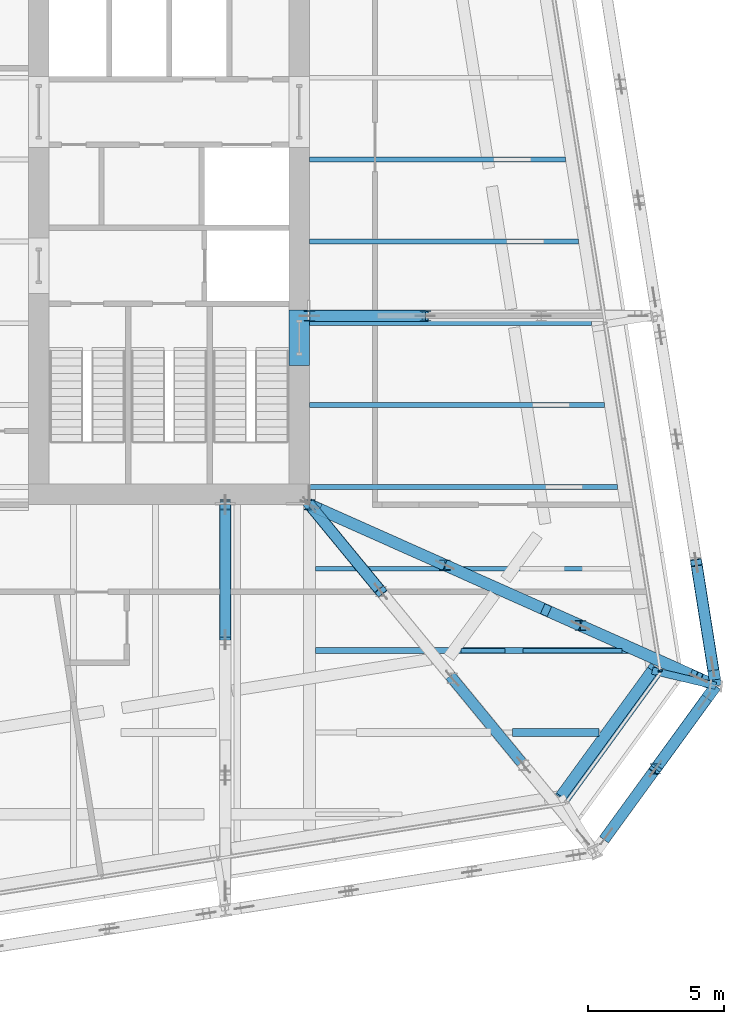
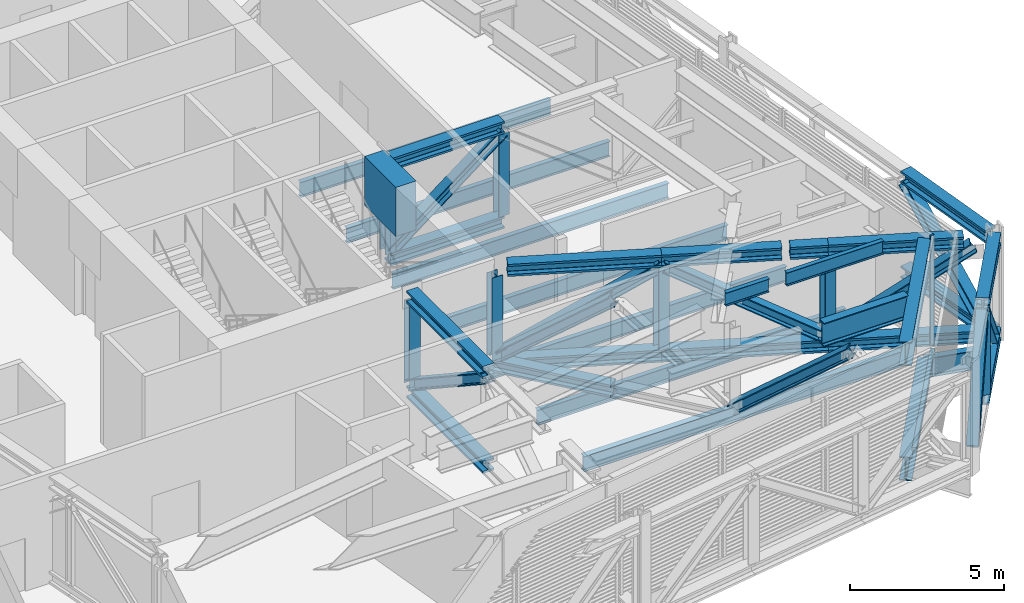
# One storey, part 9 of 31: 30 beams, 19 members, 2 elements without a shape of their own.
"""IFC4 building model written with IfcOpenShell, lengths in metres."""

from ifc_helpers import new_model, si_unit, direction, frame, origin, origin_2d, place, context, subcontext, project, spatial, rectangle, i_section, extrude, material, layer, layer_set, material_profile, profile_set, type_object, element, aggregate, save


model = new_model("IFC4")

# Units and contexts
model_context = context("Model", 3, precision=1e-05, world=origin(), true_north=direction((0.0, 1.0)))
body_context = subcontext(model_context, "Body", "Model", "MODEL_VIEW")
ifc_project = project(units=[si_unit("LENGTHUNIT", "METRE"), si_unit("AREAUNIT", "SQUARE_METRE"), si_unit("VOLUMEUNIT", "CUBIC_METRE"), si_unit("PLANEANGLEUNIT", "RADIAN"), si_unit("MASSUNIT", "GRAM", prefix="KILO")], contexts=[model_context])

# Site, building, storey
site_placement = place(None, origin())
site = spatial("IfcSite", under=ifc_project, at=site_placement, CompositionType="ELEMENT")
building_placement = place(site_placement, origin())
building = spatial("IfcBuilding", under=site, at=building_placement, Name="Millrace Tower", CompositionType="ELEMENT")
storey_placement = place(building_placement, frame((0.0, 0.0, 195.60009765625)))
storey = spatial("IfcBuildingStorey", under=building, at=storey_placement, Name="L44", CompositionType="ELEMENT", Elevation=195.60009765625)

# Beams
ifc_material_1 = material(Name="Steel ASTM A992 Grade 50", Category="steel")
ifc_material_profile_1 = material_profile(ifc_material_1, i_section(OverallWidth=0.4267578125, OverallDepth=0.482666015625, WebThickness=0.05126953125, FlangeThickness=0.08154296875, FilletRadius=0.01513671875, at=origin_2d()))
ifc_profile_set_1 = profile_set([ifc_material_profile_1], Name="Steel ASTM A992 Grade 50")
beam_type_1 = type_object("IfcBeamType", Name="Belt truss chord W14x455", PredefinedType="BEAM", material=ifc_profile_set_1)
beam_1_placement = place(storey_placement, frame((27.330810546875, -19.335205078125, 0.2412109375), z_axis=(0.587816727531, 0.80899412534, 0.0), x_axis=(-0.80899412534, 0.587816727531, 0.0)))
element("IfcBeam", 1, at=beam_1_placement, inside=storey, type_object=beam_type_1, Name="BLT-L44-R05-B02", PredefinedType="BEAM", context=body_context, shape_type="SweptSolid", body=[
    extrude(i_section(OverallWidth=0.4267578125, OverallDepth=0.482666015625, WebThickness=0.05126953125, FlangeThickness=0.08154296875, FilletRadius=0.01513671875, at=origin_2d()), origin(), (0.0, 0.0, 1.0), 3.762939453125),
])
beam_2_placement = place(storey_placement, frame((29.542724609375, -16.291015625, 0.2412109375), z_axis=(-0.156417315446, 0.987691056671, 0.0), x_axis=(-0.987691056671, -0.156417315446, 0.0)))
element("IfcBeam", 2, at=beam_2_placement, inside=storey, type_object=beam_type_1, Name="BLT-L44-R06-B01", PredefinedType="BEAM", context=body_context, shape_type="SweptSolid", body=[
    extrude(i_section(OverallWidth=0.4267578125, OverallDepth=0.482666015625, WebThickness=0.05126953125, FlangeThickness=0.08154296875, FilletRadius=0.01513671875, at=origin_2d()), origin(), (0.0, 0.0, 1.0), 4.576416015625),
])
beam_3_placement = place(storey_placement, frame((27.330810546875, -19.335205078125, 3.99853515625), z_axis=(0.587815785135, 0.808994810086, 0.0), x_axis=(-0.808994810086, 0.587815785135, 0.0)))
element("IfcBeam", 3, at=beam_3_placement, inside=storey, type_object=beam_type_1, Name="BLT-L44-R05-T02", PredefinedType="BEAM", context=body_context, shape_type="SweptSolid", body=[
    extrude(i_section(OverallWidth=0.4267578125, OverallDepth=0.482666015625, WebThickness=0.05126953125, FlangeThickness=0.08154296875, FilletRadius=0.01513671875, at=origin_2d()), origin(), (0.0, 0.0, 1.0), 3.7529296875),
])
beam_4_placement = place(storey_placement, frame((29.507568359375, -16.06982421875, 3.99853515625), z_axis=(-0.156388870071, 0.98769556105, 0.0), x_axis=(-0.98769556105, -0.156388870071, 0.0)))
element("IfcBeam", 4, at=beam_4_placement, inside=storey, type_object=beam_type_1, Name="BLT-L44-R06-T01", PredefinedType="BEAM", context=body_context, shape_type="SweptSolid", body=[
    extrude(i_section(OverallWidth=0.4267578125, OverallDepth=0.482666015625, WebThickness=0.05126953125, FlangeThickness=0.08154296875, FilletRadius=0.01513671875, at=origin_2d()), origin(), (0.0, 0.0, 1.0), 4.352294921875),
])

# Members
ifc_material_2 = material(Name="Steel ASTM A992 Grade 50", Category="steel")
ifc_material_profile_2 = material_profile(ifc_material_2, i_section(OverallWidth=0.398681640625, OverallDepth=0.393798828125, WebThickness=0.022705078125, FlangeThickness=0.03662109375, FilletRadius=0.01513671875, at=origin_2d()))
ifc_profile_set_2 = profile_set([ifc_material_profile_2], Name="Steel ASTM A992 Grade 50")
member_type_1 = type_object("IfcMemberType", Name="Belt truss diagonal W14x193", PredefinedType="BRACE", material=ifc_profile_set_2)
for number, where, z_axis, x_axis, name in (
    (5, (25.530517578125, -21.813232421875, 0.482421875), (0.401488603432, 0.552632129758, 0.730345555524), (-0.809032407796, 0.587764036954, 0.0), "BLT-L44-R05-D01"),
    (6, (29.131103515625, -16.857177734375, 0.482421875), (-0.401488603432, -0.552632129758, 0.730345555524), (0.809032407796, -0.587764036954, 0.0), "BLT-L44-R05-D02"),
):
    element("IfcMember", number, at=place(storey_placement, frame(where, z_axis=z_axis, x_axis=x_axis)), inside=storey, type_object=member_type_1, Name=name, PredefinedType="BRACE", context=body_context, shape_type="SweptSolid", body=[
        extrude(i_section(OverallWidth=0.398681640625, OverallDepth=0.393798828125, WebThickness=0.022705078125, FlangeThickness=0.03662109375, FilletRadius=0.01513671875, at=origin_2d()), origin(), (0.0, 0.0, 1.0), 4.484130859375),
    ])
member_1_placement = place(storey_placement, frame((29.43310546875, -15.599609375, 0.482421875), z_axis=(-0.119459824806, 0.754478039711, 0.645362098245), x_axis=(-0.987695976535, -0.156386245998, 0.0)))
element("IfcMember", 7, at=member_1_placement, inside=storey, type_object=member_type_1, Name="BLT-L44-R06-D01", PredefinedType="BRACE", context=body_context, shape_type="SweptSolid", body=[
    extrude(i_section(OverallWidth=0.398681640625, OverallDepth=0.393798828125, WebThickness=0.022705078125, FlangeThickness=0.03662109375, FilletRadius=0.01513671875, at=origin_2d()), origin(), (0.0, 0.0, 1.0), 5.074462890625),
])
ifc_material_3 = material(Name="Steel ASTM A992 Grade 50", Category="steel")
ifc_material_profile_3 = material_profile(ifc_material_3, i_section(OverallWidth=0.396240234375, OverallDepth=0.381103515625, WebThickness=0.018798828125, FlangeThickness=0.0302734375, FilletRadius=0.01513671875, at=origin_2d()))
ifc_profile_set_3 = profile_set([ifc_material_profile_3], Name="Steel ASTM A992 Grade 50")
member_type_2 = type_object("IfcMemberType", Name="Belt truss post W14x159", PredefinedType="POST", material=ifc_profile_set_3)
member_2_placement = place(storey_placement, frame((27.330810546875, -19.335205078125, 0.482421875), z_axis=(0.0, 0.0, 1.0), x_axis=(1.0, 0.0, 0.0)))
element("IfcMember", 8, at=member_2_placement, inside=storey, type_object=member_type_2, Name="BLT-L44-R05-V01", PredefinedType="POST", context=body_context, shape_type="SweptSolid", body=[
    extrude(i_section(OverallWidth=0.396240234375, OverallDepth=0.381103515625, WebThickness=0.018798828125, FlangeThickness=0.0302734375, FilletRadius=0.01513671875, at=origin_2d()), origin(), (0.0, 0.0, 1.0), 3.27490234375),
])

# Curtain wall, member
ifc_material_4 = material(Name="Aluminium and glass", Category="aluminium")
ifc_layer = layer(ifc_material_4, 0.14990234375)
ifc_layer_set = layer_set([ifc_layer], Name="Aluminium and glass")
curtain_wall_type = type_object("IfcCurtainWallType", Name="CW-5 truss and plant storey louvred infill", PredefinedType="NOTDEFINED", material=ifc_layer_set)
placement = place(storey_placement, origin())
curtain_wall_1 = element("IfcCurtainWall", 9, at=placement, inside=storey, type_object=curtain_wall_type, Name="Curtain wall C-F04 L44", PredefinedType="NOTDEFINED")
ifc_material_5 = material(Name="Aluminium", Category="aluminium")
ifc_material_profile_4 = material_profile(ifc_material_5, rectangle(XDim=0.06494140625, YDim=0.14990234375, at=origin_2d()))
ifc_profile_set_4 = profile_set([ifc_material_profile_4], Name="Aluminium")
member_type_3 = type_object("IfcMemberType", Name="CW-5 truss and plant storey louvred infill mullion", PredefinedType="MULLION", material=ifc_profile_set_4)
member_3_placement = place(storey_placement, frame((27.506591796875, -15.74169921875, 0.139892578125), z_axis=(0.0, 0.0, 1.0), x_axis=(-0.15643447328, 0.98768833929, 0.0)))
member_3 = element("IfcMember", 10, at=member_3_placement, type_object=member_type_3, Name="CW5 mullion C-F04.1", PredefinedType="MULLION", context=body_context, shape_type="SweptSolid", body=[
    extrude(rectangle(XDim=0.06494140625, YDim=0.14990234375, at=origin_2d()), origin(), (0.0, 0.0, 1.0), 4.360107421875),
])
aggregate(curtain_wall_1, [member_3])

curtain_wall_2 = element("IfcCurtainWall", 11, at=placement, inside=storey, type_object=curtain_wall_type, Name="Curtain wall C-F03 L44", PredefinedType="NOTDEFINED")
ifc_material_6 = material(Name="Aluminium", Category="aluminium")
ifc_material_profile_5 = material_profile(ifc_material_6, rectangle(XDim=0.14990234375, YDim=0.139892578125, at=origin_2d()))
ifc_profile_set_5 = profile_set([ifc_material_profile_5], Name="Aluminium")
member_type_4 = type_object("IfcMemberType", Name="CW-5 truss and plant storey louvred infill transom", PredefinedType="USERDEFINED", material=ifc_profile_set_5)
member_4_placement = place(storey_placement, frame((24.107421875, -20.496826171875, 0.06982421875), z_axis=(0.587810581339, 0.808998591139, 0.0), x_axis=(-0.808998591139, 0.587810581339, 0.0)))
member_4 = element("IfcMember", 12, at=member_4_placement, type_object=member_type_4, Name="CW5 transom C-F03.1", ObjectType="TRANSOM", PredefinedType="USERDEFINED", context=body_context, shape_type="SweptSolid", body=[
    extrude(rectangle(XDim=0.14990234375, YDim=0.139892578125, at=origin_2d()), origin(), (0.0, 0.0, 1.0), 5.6689453125),
])
aggregate(curtain_wall_2, [member_4])

# Beams
ifc_material_7 = material(Name="Concrete C70", Category="concrete")
ifc_material_profile_6 = material_profile(ifc_material_7, rectangle(XDim=0.75, YDim=1.93994140625, at=origin_2d()))
ifc_profile_set_6 = profile_set([ifc_material_profile_6], Name="Concrete C70")
beam_type_2 = type_object("IfcBeamType", Name="Coupling beam 750 x 1940 Concrete C70, 1300 opening", PredefinedType="BEAM", material=ifc_profile_set_6)
beam_5_placement = place(storey_placement, frame((14.27490234375, -2.511474609375, 3.369873046875), z_axis=(0.0, -1.0, 0.0), x_axis=(1.0, 0.0, 0.0)))
element("IfcBeam", 13, at=beam_5_placement, inside=storey, type_object=beam_type_2, Name="Coupling beam E L44", PredefinedType="BEAM", context=body_context, shape_type="SweptSolid", body=[
    extrude(rectangle(XDim=0.75, YDim=1.93994140625, at=origin_2d()), origin(), (0.0, 0.0, 1.0), 2.037109375),
])
ifc_material_8 = material(Name="Steel ASTM A992 Grade 50", Category="steel")
ifc_material_profile_7 = material_profile(ifc_material_8, i_section(OverallWidth=0.1650390625, OverallDepth=0.52587890625, WebThickness=0.0087890625, FlangeThickness=0.011474609375, FilletRadius=0.0126953125, at=origin_2d()))
ifc_profile_set_7 = profile_set([ifc_material_profile_7], Name="Steel ASTM A992 Grade 50")
beam_type_3 = type_object("IfcBeamType", Name="Floor beam W21x44", PredefinedType="JOIST", material=ifc_profile_set_7)
beam_6_placement = place(storey_placement, frame((20.19384765625, -15.0, 4.076904296875), z_axis=(1.0, 0.0, 0.0), x_axis=(0.0, 1.0, 0.0)))
element("IfcBeam", 14, at=beam_6_placement, inside=storey, type_object=beam_type_3, Name="BM-C-L44-R1-S005-a", PredefinedType="JOIST", context=body_context, shape_type="SweptSolid", body=[
    extrude(i_section(OverallWidth=0.1650390625, OverallDepth=0.52587890625, WebThickness=0.0087890625, FlangeThickness=0.011474609375, FilletRadius=0.0126953125, at=origin_2d()), origin(), (0.0, 0.0, 1.0), 1.626708984375),
])
beam_7_placement = place(storey_placement, frame((22.468994140625, -15.0, 4.076904296875), z_axis=(1.0, 0.0, 0.0), x_axis=(0.0, 1.0, 0.0)))
element("IfcBeam", 15, at=beam_7_placement, inside=storey, type_object=beam_type_3, Name="BM-C-L44-R1-S005-b", PredefinedType="JOIST", context=body_context, shape_type="SweptSolid", body=[
    extrude(i_section(OverallWidth=0.1650390625, OverallDepth=0.52587890625, WebThickness=0.0087890625, FlangeThickness=0.011474609375, FilletRadius=0.0126953125, at=origin_2d()), origin(), (0.0, 0.0, 1.0), 3.626708984375),
])
ifc_material_9 = material(Name="Steel ASTM A992 Grade 50", Category="steel")
ifc_material_profile_8 = material_profile(ifc_material_9, i_section(OverallWidth=0.177978515625, OverallDepth=0.599365234375, WebThickness=0.010009765625, FlangeThickness=0.012939453125, FilletRadius=0.012939453125, at=origin_2d()))
ifc_profile_set_8 = profile_set([ifc_material_profile_8], Name="Steel ASTM A992 Grade 50")
beam_type_4 = type_object("IfcBeamType", Name="Floor beam W24x55", PredefinedType="JOIST", material=ifc_profile_set_8)
beam_8_placement = place(storey_placement, frame((14.64990234375, 0.0, -0.5498046875), z_axis=(1.0, 0.0, 0.0), x_axis=(0.0, 1.0, 0.0)))
element("IfcBeam", 16, at=beam_8_placement, inside=storey, type_object=beam_type_4, Name="BM-C-L44-S1-S021", PredefinedType="JOIST", context=body_context, shape_type="SweptSolid", body=[
    extrude(i_section(OverallWidth=0.177978515625, OverallDepth=0.599365234375, WebThickness=0.010009765625, FlangeThickness=0.012939453125, FilletRadius=0.012939453125, at=origin_2d()), origin(), (0.0, 0.0, 1.0), 9.860595703125),
])
beam_9_placement = place(storey_placement, frame((14.64990234375, 3.0, -0.5498046875), z_axis=(1.0, 0.0, 0.0), x_axis=(0.0, 1.0, 0.0)))
element("IfcBeam", 17, at=beam_9_placement, inside=storey, type_object=beam_type_4, Name="BM-C-L44-S1-S024", PredefinedType="JOIST", context=body_context, shape_type="SweptSolid", body=[
    extrude(i_section(OverallWidth=0.177978515625, OverallDepth=0.599365234375, WebThickness=0.010009765625, FlangeThickness=0.012939453125, FilletRadius=0.012939453125, at=origin_2d()), origin(), (0.0, 0.0, 1.0), 9.385498046875),
])
ifc_material_10 = material(Name="Steel ASTM A992 Grade 50", Category="steel")
ifc_material_profile_9 = material_profile(ifc_material_10, i_section(OverallWidth=0.1787109375, OverallDepth=0.60205078125, WebThickness=0.010986328125, FlangeThickness=0.014892578125, FilletRadius=0.0126953125, at=origin_2d()))
ifc_profile_set_9 = profile_set([ifc_material_profile_9], Name="Steel ASTM A992 Grade 50")
beam_type_5 = type_object("IfcBeamType", Name="Floor beam W24x62", PredefinedType="JOIST", material=ifc_profile_set_9)
beam_10_placement = place(storey_placement, frame((14.862060546875, -12.0, -0.551025390625), z_axis=(1.0, 0.0, 0.0), x_axis=(0.0, 1.0, 0.0)))
element("IfcBeam", 18, at=beam_10_placement, inside=storey, type_object=beam_type_5, Name="BM-C-L44-S1-S009", PredefinedType="JOIST", context=body_context, shape_type="SweptSolid", body=[
    extrude(i_section(OverallWidth=0.1787109375, OverallDepth=0.60205078125, WebThickness=0.010986328125, FlangeThickness=0.014892578125, FilletRadius=0.0126953125, at=origin_2d()), origin(), (0.0, 0.0, 1.0), 11.549072265625),
])
beam_11_placement = place(storey_placement, frame((14.64990234375, -9.0, -0.551025390625), z_axis=(1.0, 0.0, 0.0), x_axis=(0.0, 1.0, 0.0)))
element("IfcBeam", 19, at=beam_11_placement, inside=storey, type_object=beam_type_5, Name="BM-C-L44-S1-S012", PredefinedType="JOIST", context=body_context, shape_type="SweptSolid", body=[
    extrude(i_section(OverallWidth=0.1787109375, OverallDepth=0.60205078125, WebThickness=0.010986328125, FlangeThickness=0.014892578125, FilletRadius=0.0126953125, at=origin_2d()), origin(), (0.0, 0.0, 1.0), 11.2861328125),
])
beam_12_placement = place(storey_placement, frame((14.64990234375, -6.0, -0.551025390625), z_axis=(1.0, 0.0, 0.0), x_axis=(0.0, 1.0, 0.0)))
element("IfcBeam", 20, at=beam_12_placement, inside=storey, type_object=beam_type_5, Name="BM-C-L44-S1-S015", PredefinedType="JOIST", context=body_context, shape_type="SweptSolid", body=[
    extrude(i_section(OverallWidth=0.1787109375, OverallDepth=0.60205078125, WebThickness=0.010986328125, FlangeThickness=0.014892578125, FilletRadius=0.0126953125, at=origin_2d()), origin(), (0.0, 0.0, 1.0), 10.81103515625),
])
beam_13_placement = place(storey_placement, frame((14.64990234375, -3.0, -0.551025390625), z_axis=(1.0, 0.0, 0.0), x_axis=(0.0, 1.0, 0.0)))
element("IfcBeam", 21, at=beam_13_placement, inside=storey, type_object=beam_type_5, Name="BM-C-L44-S1-S018", PredefinedType="JOIST", context=body_context, shape_type="SweptSolid", body=[
    extrude(i_section(OverallWidth=0.1787109375, OverallDepth=0.60205078125, WebThickness=0.010986328125, FlangeThickness=0.014892578125, FilletRadius=0.0126953125, at=origin_2d()), origin(), (0.0, 0.0, 1.0), 10.3359375),
])
ifc_material_11 = material(Name="Steel ASTM A992 Grade 50", Category="steel")
ifc_material_profile_10 = material_profile(ifc_material_11, i_section(OverallWidth=0.228271484375, OverallDepth=0.607177734375, WebThickness=0.01123046875, FlangeThickness=0.017333984375, FilletRadius=0.0126953125, at=origin_2d()))
ifc_profile_set_10 = profile_set([ifc_material_profile_10], Name="Steel ASTM A992 Grade 50")
beam_type_6 = type_object("IfcBeamType", Name="Floor beam W24x76", PredefinedType="JOIST", material=ifc_profile_set_10)
beam_14_placement = place(storey_placement, frame((14.862060546875, -15.0, -0.5537109375), z_axis=(1.0, 0.0, 0.0), x_axis=(0.0, 1.0, 0.0)))
element("IfcBeam", 22, at=beam_14_placement, inside=storey, type_object=beam_type_6, Name="BM-C-L44-S1-S007", PredefinedType="JOIST", context=body_context, shape_type="SweptSolid", body=[
    extrude(i_section(OverallWidth=0.228271484375, OverallDepth=0.607177734375, WebThickness=0.01123046875, FlangeThickness=0.017333984375, FilletRadius=0.0126953125, at=origin_2d()), origin(), (0.0, 0.0, 1.0), 12.0244140625),
])
ifc_material_12 = material(Name="Steel ASTM A992 Grade 50", Category="steel")
ifc_material_profile_11 = material_profile(ifc_material_12, i_section(OverallWidth=0.307373046875, OverallDepth=0.927001953125, WebThickness=0.01953125, FlangeThickness=0.031982421875, FilletRadius=0.01904296875, at=origin_2d()))
ifc_profile_set_11 = profile_set([ifc_material_profile_11], Name="Steel ASTM A992 Grade 50")
beam_type_7 = type_object("IfcBeamType", Name="Floor beam W36x194", PredefinedType="JOIST", material=ifc_profile_set_11)
beam_15_placement = place(storey_placement, frame((22.084228515625, -18.0, 3.87646484375), z_axis=(1.0, 0.0, 0.0), x_axis=(0.0, 1.0, 0.0)))
element("IfcBeam", 23, at=beam_15_placement, inside=storey, type_object=beam_type_7, Name="BM-C-L44-R1-S004-b-b", PredefinedType="JOIST", context=body_context, shape_type="SweptSolid", body=[
    extrude(i_section(OverallWidth=0.307373046875, OverallDepth=0.927001953125, WebThickness=0.01953125, FlangeThickness=0.031982421875, FilletRadius=0.01904296875, at=origin_2d()), origin(), (0.0, 0.0, 1.0), 3.16748046875),
])
ifc_material_13 = material(Name="Steel ASTM A992 Grade 50", Category="steel")
ifc_material_profile_12 = material_profile(ifc_material_13, i_section(OverallWidth=0.2666015625, OverallDepth=0.7568359375, WebThickness=0.013916015625, FlangeThickness=0.019287109375, FilletRadius=0.0166015625, at=origin_2d()))
ifc_profile_set_12 = profile_set([ifc_material_profile_12], Name="Steel ASTM A992 Grade 50")
beam_type_8 = type_object("IfcBeamType", Name="Link beam W30x108", PredefinedType="BEAM", material=ifc_profile_set_12)
beam_16_placement = place(storey_placement, frame((27.2158203125, -15.732177734375, -0.628662109375), z_axis=(0.972351174384, -0.233523432816, 0.0), x_axis=(0.233523432816, 0.972351174384, 0.0)))
element("IfcBeam", 24, at=beam_16_placement, inside=storey, type_object=beam_type_8, Name="LNK-C-L44-S1-12", PredefinedType="BEAM", context=body_context, shape_type="SweptSolid", body=[
    extrude(i_section(OverallWidth=0.2666015625, OverallDepth=0.7568359375, WebThickness=0.013916015625, FlangeThickness=0.019287109375, FilletRadius=0.0166015625, at=origin_2d()), origin(), (0.0, 0.0, 1.0), 2.39306640625),
])
ifc_material_14 = material(Name="Steel ASTM A992 Grade 50", Category="steel")
ifc_material_profile_13 = material_profile(ifc_material_14, i_section(OverallWidth=0.4267578125, OverallDepth=0.482666015625, WebThickness=0.05126953125, FlangeThickness=0.08154296875, FilletRadius=0.01513671875, at=origin_2d()))
ifc_profile_set_13 = profile_set([ifc_material_profile_13], Name="Steel ASTM A992 Grade 50")
beam_type_9 = type_object("IfcBeamType", Name="Outrigger truss chord W14x455", PredefinedType="BEAM", material=ifc_profile_set_13)
for number, where, z_axis, x_axis, name in (
    (25, (11.5595703125, -9.64990234375, 0.2412109375), (0.0, -1.0, 0.0), (1.0, 0.0, 0.0), "BLT-L44-O04-B01"),
    (26, (11.5595703125, -9.64990234375, 3.99853515625), (0.0, -1.0, 0.0), (1.0, 0.0, 0.0), "BLT-L44-O04-T01"),
):
    element("IfcBeam", number, at=place(storey_placement, frame(where, z_axis=z_axis, x_axis=x_axis)), inside=storey, type_object=beam_type_9, Name=name, PredefinedType="BEAM", context=body_context, shape_type="SweptSolid", body=[
        extrude(i_section(OverallWidth=0.4267578125, OverallDepth=0.482666015625, WebThickness=0.05126953125, FlangeThickness=0.08154296875, FilletRadius=0.01513671875, at=origin_2d()), origin(), (0.0, 0.0, 1.0), 4.959228515625),
    ])
beam_17_placement = place(storey_placement, frame((14.64990234375, -9.64990234375, 0.2412109375), z_axis=(0.635223229564, -0.772328588505, 0.0), x_axis=(0.772328588505, 0.635223229564, 0.0)))
element("IfcBeam", 27, at=beam_17_placement, inside=storey, type_object=beam_type_9, Name="BLT-L44-O05-B01", PredefinedType="BEAM", context=body_context, shape_type="SweptSolid", body=[
    extrude(i_section(OverallWidth=0.4267578125, OverallDepth=0.482666015625, WebThickness=0.05126953125, FlangeThickness=0.08154296875, FilletRadius=0.01513671875, at=origin_2d()), origin(), (0.0, 0.0, 1.0), 4.12060546875),
])
beam_18_placement = place(storey_placement, frame((14.64990234375, -9.64990234375, 0.2412109375), z_axis=(0.91331633516, -0.407250870999, 0.0), x_axis=(0.407250870999, 0.91331633516, 0.0)))
element("IfcBeam", 28, at=beam_18_placement, inside=storey, type_object=beam_type_9, Name="BLT-L44-O06-B01", PredefinedType="BEAM", context=body_context, shape_type="SweptSolid", body=[
    extrude(i_section(OverallWidth=0.4267578125, OverallDepth=0.482666015625, WebThickness=0.05126953125, FlangeThickness=0.08154296875, FilletRadius=0.01513671875, at=origin_2d()), origin(), (0.0, 0.0, 1.0), 5.435546875),
])
beam_19_placement = place(storey_placement, frame((19.6142578125, -11.863525390625, 0.2412109375), z_axis=(0.913292177232, -0.407305044171, 0.0), x_axis=(0.407305044171, 0.913292177232, 0.0)))
element("IfcBeam", 29, at=beam_19_placement, inside=storey, type_object=beam_type_9, Name="BLT-L44-O06-B02", PredefinedType="BEAM", context=body_context, shape_type="SweptSolid", body=[
    extrude(i_section(OverallWidth=0.4267578125, OverallDepth=0.482666015625, WebThickness=0.05126953125, FlangeThickness=0.08154296875, FilletRadius=0.01513671875, at=origin_2d()), origin(), (0.0, 0.0, 1.0), 5.435302734375),
])
beam_20_placement = place(storey_placement, frame((24.578369140625, -14.077392578125, 0.2412109375), z_axis=(0.91331633516, -0.407250870999, 0.0), x_axis=(0.407250870999, 0.91331633516, 0.0)))
element("IfcBeam", 30, at=beam_20_placement, inside=storey, type_object=beam_type_9, Name="BLT-L44-O06-B03", PredefinedType="BEAM", context=body_context, shape_type="SweptSolid", body=[
    extrude(i_section(OverallWidth=0.4267578125, OverallDepth=0.482666015625, WebThickness=0.05126953125, FlangeThickness=0.08154296875, FilletRadius=0.01513671875, at=origin_2d()), origin(), (0.0, 0.0, 1.0), 5.435546875),
])
for number, where, z_axis, x_axis, name in (
    (31, (14.64990234375, -2.7314453125, 0.2412109375), (1.0, 0.0, 0.0), (0.0, 1.0, 0.0), "BLT-L44-O07-B01"),
    (32, (14.64990234375, -2.7314453125, 3.99853515625), (1.0, 0.0, 0.0), (0.0, 1.0, 0.0), "BLT-L44-O07-T01"),
):
    element("IfcBeam", number, at=place(storey_placement, frame(where, z_axis=z_axis, x_axis=x_axis)), inside=storey, type_object=beam_type_9, Name=name, PredefinedType="BEAM", context=body_context, shape_type="SweptSolid", body=[
        extrude(i_section(OverallWidth=0.4267578125, OverallDepth=0.482666015625, WebThickness=0.05126953125, FlangeThickness=0.08154296875, FilletRadius=0.01513671875, at=origin_2d()), origin(), (0.0, 0.0, 1.0), 4.24853515625),
    ])
beam_21_placement = place(storey_placement, frame((15.023193359375, -9.81640625, 3.99853515625), z_axis=(0.913320195231, -0.407242214146, 0.0), x_axis=(0.407242214146, 0.913320195231, 0.0)))
element("IfcBeam", 33, at=beam_21_placement, inside=storey, type_object=beam_type_9, Name="BLT-L44-O06-T01", PredefinedType="BEAM", context=body_context, shape_type="SweptSolid", body=[
    extrude(i_section(OverallWidth=0.4267578125, OverallDepth=0.482666015625, WebThickness=0.05126953125, FlangeThickness=0.08154296875, FilletRadius=0.01513671875, at=origin_2d()), origin(), (0.0, 0.0, 1.0), 5.02685546875),
])
beam_22_placement = place(storey_placement, frame((19.6142578125, -11.863525390625, 3.99853515625), z_axis=(0.913287180465, -0.40731624814, 0.0), x_axis=(0.40731624814, 0.913287180465, 0.0)))
element("IfcBeam", 34, at=beam_22_placement, inside=storey, type_object=beam_type_9, Name="BLT-L44-O06-T02-a", PredefinedType="BEAM", context=body_context, shape_type="SweptSolid", body=[
    extrude(i_section(OverallWidth=0.4267578125, OverallDepth=0.482666015625, WebThickness=0.05126953125, FlangeThickness=0.08154296875, FilletRadius=0.01513671875, at=origin_2d()), origin(), (0.0, 0.0, 1.0), 3.92236328125),
])
beam_23_placement = place(storey_placement, frame((23.44287109375, -13.571044921875, 3.99853515625), z_axis=(0.913308795476, -0.407267779363, 0.0), x_axis=(0.407267779363, 0.913308795476, 0.0)))
element("IfcBeam", 35, at=beam_23_placement, inside=storey, type_object=beam_type_9, Name="BLT-L44-O06-T02-b", PredefinedType="BEAM", context=body_context, shape_type="SweptSolid", body=[
    extrude(i_section(OverallWidth=0.4267578125, OverallDepth=0.482666015625, WebThickness=0.05126953125, FlangeThickness=0.08154296875, FilletRadius=0.01513671875, at=origin_2d()), origin(), (0.0, 0.0, 1.0), 1.2431640625),
])
beam_24_placement = place(storey_placement, frame((24.578369140625, -14.077392578125, 3.99853515625), z_axis=(0.913327193537, -0.407226518715, 0.0), x_axis=(0.407226518715, 0.913327193537, 0.0)))
element("IfcBeam", 36, at=beam_24_placement, inside=storey, type_object=beam_type_9, Name="BLT-L44-O06-T03", PredefinedType="BEAM", context=body_context, shape_type="SweptSolid", body=[
    extrude(i_section(OverallWidth=0.4267578125, OverallDepth=0.482666015625, WebThickness=0.05126953125, FlangeThickness=0.08154296875, FilletRadius=0.01513671875, at=origin_2d()), origin(), (0.0, 0.0, 1.0), 4.412353515625),
])

# Members
ifc_material_15 = material(Name="Steel ASTM A992 Grade 50", Category="steel")
ifc_material_profile_14 = material_profile(ifc_material_15, i_section(OverallWidth=0.398681640625, OverallDepth=0.393798828125, WebThickness=0.022705078125, FlangeThickness=0.03662109375, FilletRadius=0.01513671875, at=origin_2d()))
ifc_profile_set_14 = profile_set([ifc_material_profile_14], Name="Steel ASTM A992 Grade 50")
member_type_5 = type_object("IfcMemberType", Name="Outrigger truss diagonal W14x193", PredefinedType="BRACE", material=ifc_profile_set_14)
member_5_placement = place(storey_placement, frame((11.5595703125, -9.64990234375, 0.482421875), z_axis=(0.0, -0.83446924325, 0.551054518237), x_axis=(1.0, 0.0, 0.0)))
element("IfcMember", 37, at=member_5_placement, inside=storey, type_object=member_type_5, Name="BLT-L44-O04-D01", PredefinedType="BRACE", context=body_context, shape_type="SweptSolid", body=[
    extrude(i_section(OverallWidth=0.398681640625, OverallDepth=0.393798828125, WebThickness=0.022705078125, FlangeThickness=0.03662109375, FilletRadius=0.01513671875, at=origin_2d()), origin(), (0.0, 0.0, 1.0), 5.94287109375),
])
member_6_placement = place(storey_placement, frame((14.64990234375, -9.64990234375, 0.482421875), z_axis=(0.497288666081, -0.604622494391, 0.622202235502), x_axis=(0.772328588505, 0.635223229564, 0.0)))
element("IfcMember", 38, at=member_6_placement, inside=storey, type_object=member_type_5, Name="BLT-L44-O05-D01", PredefinedType="BRACE", context=body_context, shape_type="SweptSolid", body=[
    extrude(i_section(OverallWidth=0.398681640625, OverallDepth=0.393798828125, WebThickness=0.022705078125, FlangeThickness=0.03662109375, FilletRadius=0.01513671875, at=origin_2d()), origin(), (0.0, 0.0, 1.0), 5.263427734375),
])
member_7_placement = place(storey_placement, frame((19.884521484375, -16.0146484375, 0.482421875), z_axis=(0.497253751044, -0.604636440752, 0.622216587361), x_axis=(0.772357657086, 0.635187885229, 0.0)))
element("IfcMember", 39, at=member_7_placement, inside=storey, type_object=member_type_5, Name="BLT-L44-O05-D03", PredefinedType="BRACE", context=body_context, shape_type="SweptSolid", body=[
    extrude(i_section(OverallWidth=0.398681640625, OverallDepth=0.393798828125, WebThickness=0.022705078125, FlangeThickness=0.03662109375, FilletRadius=0.01513671875, at=origin_2d()), origin(), (0.0, 0.0, 1.0), 5.26318359375),
])
member_8_placement = place(storey_placement, frame((14.64990234375, -9.64990234375, 0.482421875), z_axis=(0.782298311844, -0.348829487238, 0.516069123393), x_axis=(0.407250870999, 0.91331633516, 0.0)))
element("IfcMember", 40, at=member_8_placement, inside=storey, type_object=member_type_5, Name="BLT-L44-O06-D01", PredefinedType="BRACE", context=body_context, shape_type="SweptSolid", body=[
    extrude(i_section(OverallWidth=0.398681640625, OverallDepth=0.393798828125, WebThickness=0.022705078125, FlangeThickness=0.03662109375, FilletRadius=0.01513671875, at=origin_2d()), origin(), (0.0, 0.0, 1.0), 6.345947265625),
])
member_9_placement = place(storey_placement, frame((24.578369140625, -14.077392578125, 0.482421875), z_axis=(-0.782272884019, 0.348873777223, 0.516077729121), x_axis=(-0.407305044171, -0.913292177232, 0.0)))
element("IfcMember", 41, at=member_9_placement, inside=storey, type_object=member_type_5, Name="BLT-L44-O06-D02", PredefinedType="BRACE", context=body_context, shape_type="SweptSolid", body=[
    extrude(i_section(OverallWidth=0.398681640625, OverallDepth=0.393798828125, WebThickness=0.022705078125, FlangeThickness=0.03662109375, FilletRadius=0.01513671875, at=origin_2d()), origin(), (0.0, 0.0, 1.0), 6.345703125),
])
member_10_placement = place(storey_placement, frame((24.578369140625, -14.077392578125, 0.482421875), z_axis=(0.751181467657, -0.33494679159, 0.568803172857), x_axis=(0.40724317466, 0.913319766945, 0.0)))
element("IfcMember", 42, at=member_10_placement, inside=storey, type_object=member_type_5, Name="BLT-L44-O06-D03", PredefinedType="BRACE", context=body_context, shape_type="SweptSolid", body=[
    extrude(i_section(OverallWidth=0.398681640625, OverallDepth=0.393798828125, WebThickness=0.022705078125, FlangeThickness=0.03662109375, FilletRadius=0.01513671875, at=origin_2d()), origin(), (0.0, 0.0, 1.0), 5.757568359375),
])
member_11_placement = place(storey_placement, frame((14.64990234375, -2.7314453125, 0.482421875), z_axis=(0.79201111414, 0.0, 0.610506670789), x_axis=(0.0, 1.0, 0.0)))
element("IfcMember", 43, at=member_11_placement, inside=storey, type_object=member_type_5, Name="BLT-L44-O07-D01", PredefinedType="BRACE", context=body_context, shape_type="SweptSolid", body=[
    extrude(i_section(OverallWidth=0.398681640625, OverallDepth=0.393798828125, WebThickness=0.022705078125, FlangeThickness=0.03662109375, FilletRadius=0.01513671875, at=origin_2d()), origin(), (0.0, 0.0, 1.0), 5.3642578125),
])
ifc_material_16 = material(Name="Steel ASTM A992 Grade 50", Category="steel")
ifc_material_profile_15 = material_profile(ifc_material_16, i_section(OverallWidth=0.396240234375, OverallDepth=0.381103515625, WebThickness=0.018798828125, FlangeThickness=0.0302734375, FilletRadius=0.01513671875, at=origin_2d()))
ifc_profile_set_15 = profile_set([ifc_material_profile_15], Name="Steel ASTM A992 Grade 50")
member_type_6 = type_object("IfcMemberType", Name="Outrigger truss post W14x159", PredefinedType="POST", material=ifc_profile_set_15)
for number, where, z_axis, x_axis, name in (
    (44, (11.5595703125, -9.64990234375, 0.482421875), (0.0, 0.0, 1.0), (1.0, 0.0, 0.0), "BLT-L44-O04-V00"),
    (45, (14.64990234375, -9.64990234375, 0.482421875), (0.0, 0.0, 1.0), (1.0, 0.0, 0.0), "BLT-L44-O05-V00"),
    (46, (19.6142578125, -11.863525390625, 0.482421875), (0.0, 0.0, 1.0), (1.0, 0.0, 0.0), "BLT-L44-O06-V01"),
    (47, (24.578369140625, -14.077392578125, 0.482421875), (0.0, 0.0, 1.0), (1.0, 0.0, 0.0), "BLT-L44-O06-V02"),
    (48, (14.64990234375, -2.7314453125, 0.482421875), (0.0, 0.0, 1.0), (1.0, 0.0, 0.0), "BLT-L44-O07-V00"),
    (49, (18.8984375, -2.7314453125, 0.482421875), (0.0, 0.0, 1.0), (1.0, 0.0, 0.0), "BLT-L44-O07-V01"),
):
    element("IfcMember", number, at=place(storey_placement, frame(where, z_axis=z_axis, x_axis=x_axis)), inside=storey, type_object=member_type_6, Name=name, PredefinedType="POST", context=body_context, shape_type="SweptSolid", body=[
        extrude(i_section(OverallWidth=0.396240234375, OverallDepth=0.381103515625, WebThickness=0.018798828125, FlangeThickness=0.0302734375, FilletRadius=0.01513671875, at=origin_2d()), origin(), (0.0, 0.0, 1.0), 3.27490234375),
    ])

# Beams
ifc_material_17 = material(Name="Steel ASTM A992 Grade 50", Category="steel")
ifc_material_profile_16 = material_profile(ifc_material_17, i_section(OverallWidth=0.421630859375, OverallDepth=0.937255859375, WebThickness=0.021240234375, FlangeThickness=0.03662109375, FilletRadius=0.024169921875, at=origin_2d()))
ifc_profile_set_16 = profile_set([ifc_material_profile_16], Name="Steel ASTM A992 Grade 50")
beam_type_10 = type_object("IfcBeamType", Name="Ring beam short span W36x262", PredefinedType="SPANDREL", material=ifc_profile_set_16)
beam_25_placement = place(storey_placement, frame((27.2158203125, -15.732177734375, -0.71875), z_axis=(-0.587789250847, -0.80901408924, 0.0), x_axis=(0.80901408924, -0.587789250847, 0.0)))
element("IfcBeam", 50, at=beam_25_placement, inside=storey, type_object=beam_type_10, Name="RNG-C-L44-S1-12", PredefinedType="SPANDREL", context=body_context, shape_type="SweptSolid", body=[
    extrude(i_section(OverallWidth=0.421630859375, OverallDepth=0.937255859375, WebThickness=0.021240234375, FlangeThickness=0.03662109375, FilletRadius=0.024169921875, at=origin_2d()), origin(), (0.0, 0.0, 1.0), 5.694580078125),
])
beam_26_placement = place(storey_placement, frame((27.323974609375, -15.58349609375, 3.871337890625), z_axis=(-0.587804458157, -0.809003040149, 0.0), x_axis=(0.809003040149, -0.587804458157, 0.0)))
element("IfcBeam", 51, at=beam_26_placement, inside=storey, type_object=beam_type_10, Name="RNG-C-L44-R1-04", PredefinedType="SPANDREL", context=body_context, shape_type="SweptSolid", body=[
    extrude(i_section(OverallWidth=0.421630859375, OverallDepth=0.937255859375, WebThickness=0.021240234375, FlangeThickness=0.03662109375, FilletRadius=0.024169921875, at=origin_2d()), origin(), (0.0, 0.0, 1.0), 5.93017578125),
])

save(model, "model.ifc")
